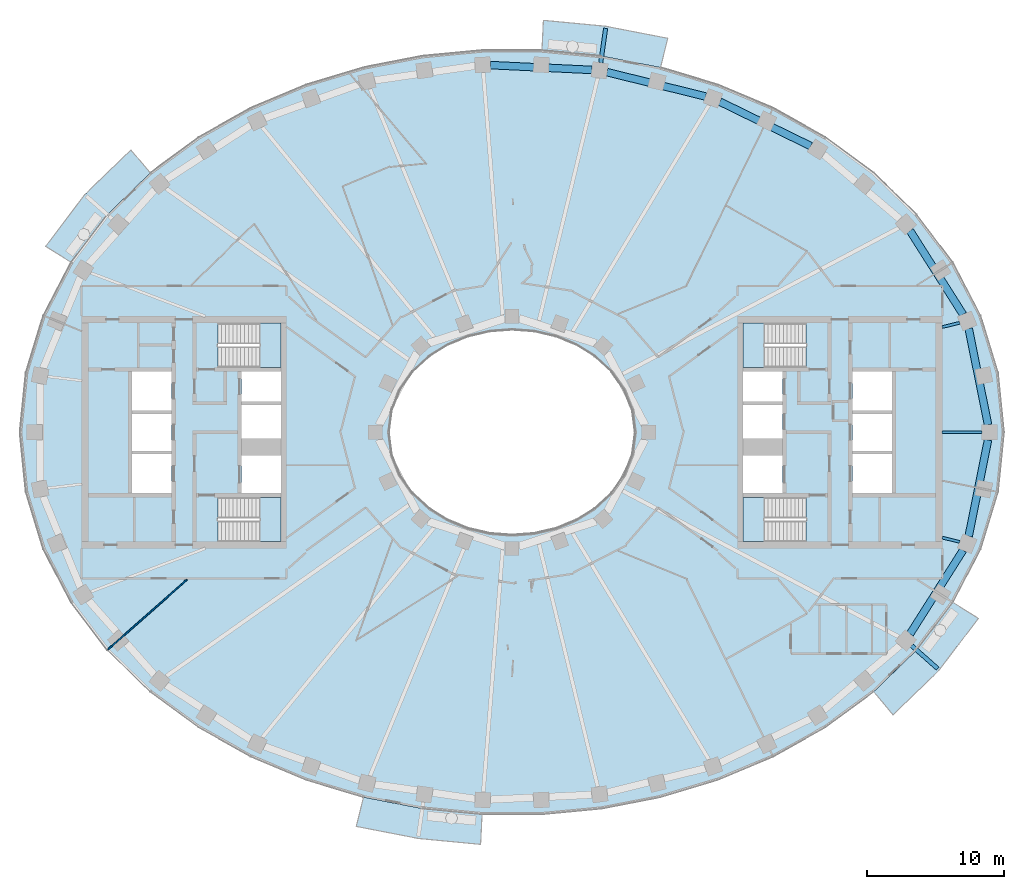
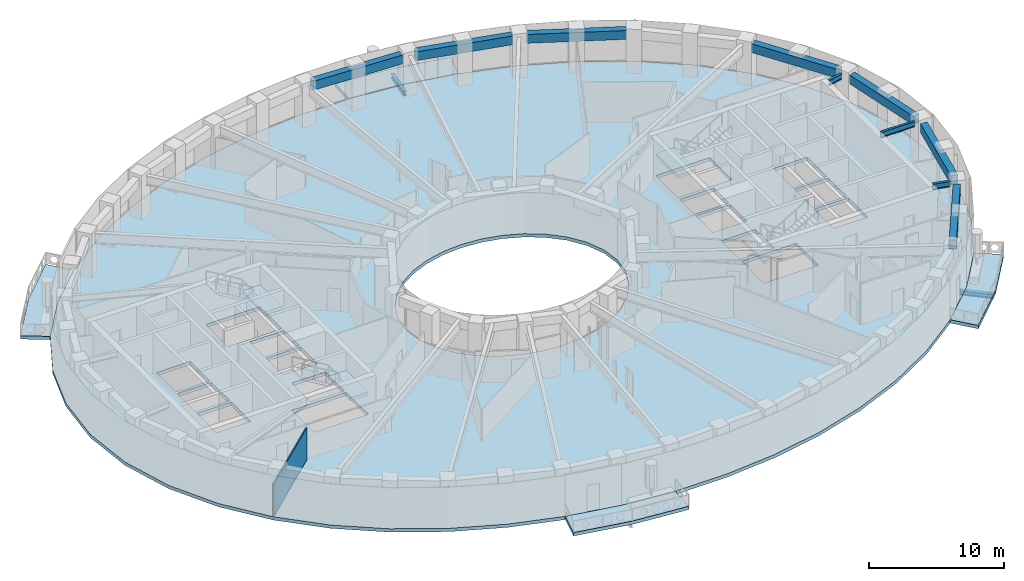
# One storey, part 2 of 17: 12 beams, 9 slabs, 1 wall, 4 elements without a shape of their own.
"""IFC4 building model written with IfcOpenShell, lengths in metres."""

from ifc_helpers import new_model, si_unit, direction, frame, frame_2d, origin, origin_2d, place, context, subcontext, project, spatial, polyline, rectangle, i_section, outline, extrude, material, layer, layer_set, material_profile, profile_set, type_object, element, aggregate, save


model = new_model("IFC4")

# Units and contexts
model_context = context("Model", 3, precision=1e-05, world=origin(), true_north=direction((0.0, 1.0)))
body_context = subcontext(model_context, "Body", "Model", "MODEL_VIEW")
ifc_project = project(units=[si_unit("LENGTHUNIT", "METRE"), si_unit("AREAUNIT", "SQUARE_METRE"), si_unit("VOLUMEUNIT", "CUBIC_METRE"), si_unit("PLANEANGLEUNIT", "RADIAN"), si_unit("MASSUNIT", "GRAM", prefix="KILO")], contexts=[model_context])

# Site, building, storey
site_placement = place(None, origin())
site = spatial("IfcSite", under=ifc_project, at=site_placement, CompositionType="ELEMENT")
building_placement = place(site_placement, origin())
building = spatial("IfcBuilding", under=site, at=building_placement, Name="Noorbagh Ring Tower", CompositionType="ELEMENT")
storey_placement = place(building_placement, frame((0.0, 0.0, 190.0)))
storey = spatial("IfcBuildingStorey", under=building, at=storey_placement, Name="L44", CompositionType="ELEMENT", Elevation=190.0)

# Beams
ifc_material_1 = material(Name="Steel S355", Category="steel")
ifc_material_profile_1 = material_profile(ifc_material_1, i_section(OverallWidth=0.300048828125, OverallDepth=0.39990234375, WebThickness=0.013427734375, FlangeThickness=0.02392578125, FilletRadius=0.027099609375, at=origin_2d()), Name="HEB400")
ifc_profile_set_1 = profile_set([ifc_material_profile_1], Name="Steel S355")
beam_type_1 = type_object("IfcBeamType", Name="STR-BALCONY-BRACKET-HEB400", PredefinedType="BEAM", material=ifc_profile_set_1)
beam_1_placement = place(storey_placement, frame((6.48876953125, 27.0400390625, -0.5), z_axis=(0.143003505054, 0.989722182, 0.0), x_axis=(-0.989722182, 0.143003505054, 0.0)))
element("IfcBeam", 1, at=beam_1_placement, inside=storey, type_object=beam_type_1, Name="Balcony bracket beam BN03", PredefinedType="BEAM", context=body_context, shape_type="SweptSolid", body=[
    extrude(i_section(OverallWidth=0.300048828125, OverallDepth=0.39990234375, WebThickness=0.013427734375, FlangeThickness=0.02392578125, FilletRadius=0.027099609375, at=origin_2d()), origin(), (0.0, 0.0, 1.0), 2.548828125),
])
beam_2_placement = place(storey_placement, frame((29.234619140625, -15.59814453125, -0.5), z_axis=(0.749031222735, -0.662534698992, 0.0), x_axis=(0.662534698992, 0.749031222735, 0.0)))
element("IfcBeam", 2, at=beam_2_placement, inside=storey, type_object=beam_type_1, Name="Balcony bracket beam BS06", PredefinedType="BEAM", context=body_context, shape_type="SweptSolid", body=[
    extrude(i_section(OverallWidth=0.300048828125, OverallDepth=0.39990234375, WebThickness=0.013427734375, FlangeThickness=0.02392578125, FilletRadius=0.027099609375, at=origin_2d()), origin(), (0.0, 0.0, 1.0), 2.554443359375),
])
ifc_material_2 = material(Name="Steel S355", Category="steel")
ifc_material_profile_2 = material_profile(ifc_material_2, i_section(OverallWidth=0.199951171875, OverallDepth=0.5, WebThickness=0.01025390625, FlangeThickness=0.01611328125, FilletRadius=0.02099609375, at=origin_2d()), Name="IPE500")
ifc_profile_set_2 = profile_set([ifc_material_profile_2], Name="Steel S355")
beam_type_2 = type_object("IfcBeamType", Name="STR-RAD-IPE500", PredefinedType="BEAM", material=ifc_profile_set_2)
beam_3_placement = place(storey_placement, frame((34.3896484375, 0.0, 3.449951171875), z_axis=(-1.0, 0.0, 0.0), x_axis=(0.0, -1.0, 0.0)))
element("IfcBeam", 3, at=beam_3_placement, inside=storey, type_object=beam_type_2, Name="L44/bm/RD01", PredefinedType="BEAM", context=body_context, shape_type="SweptSolid", body=[
    extrude(i_section(OverallWidth=0.199951171875, OverallDepth=0.5, WebThickness=0.01025390625, FlangeThickness=0.01611328125, FilletRadius=0.02099609375, at=origin_2d()), origin(), (0.0, 0.0, 1.0), 2.90966796875),
])
for number, where, z_axis, x_axis, name in (
    (4, (32.759765625, 8.015869140625, 3.449951171875), (-0.971351477813, -0.237647441709, 0.0), (0.237647441709, -0.971351477813, 0.0), "L44/bm/RD03"),
    (5, (32.759765625, -8.015869140625, 3.449951171875), (-0.971351477813, 0.237647441709, 0.0), (-0.237647441709, -0.971351477813, 0.0), "L44/bm/RD45"),
):
    element("IfcBeam", number, at=place(storey_placement, frame(where, z_axis=z_axis, x_axis=x_axis)), inside=storey, type_object=beam_type_2, Name=name, PredefinedType="BEAM", context=body_context, shape_type="SweptSolid", body=[
        extrude(i_section(OverallWidth=0.199951171875, OverallDepth=0.5, WebThickness=0.01025390625, FlangeThickness=0.01611328125, FilletRadius=0.02099609375, at=origin_2d()), origin(), (0.0, 0.0, 1.0), 1.317138671875),
    ])
ifc_material_3 = material(Name="Concrete C40/50", Category="concrete")
ifc_material_profile_3 = material_profile(ifc_material_3, rectangle(XDim=0.550048828125, YDim=0.800048828125, at=origin_2d()), Name="RC550x800")
ifc_profile_set_3 = profile_set([ifc_material_profile_3], Name="Concrete C40/50")
beam_type_3 = type_object("IfcBeamType", Name="STR-SB-RC550x800-C40-50", PredefinedType="BEAM", material=ifc_profile_set_3)
beam_4_placement = place(storey_placement, frame((34.8330078125, 0.555419921875, 3.300048828125), z_axis=(-0.197234085058, 0.980356422783, 0.0), x_axis=(-0.980356422783, -0.197234085058, 0.0)))
element("IfcBeam", 6, at=beam_4_placement, inside=storey, type_object=beam_type_3, Name="L44/bm/SP01", PredefinedType="BEAM", context=body_context, shape_type="SweptSolid", body=[
    extrude(rectangle(XDim=0.550048828125, YDim=0.800048828125, at=origin_2d()), origin(), (0.0, 0.0, 1.0), 7.1806640625),
])
beam_5_placement = place(storey_placement, frame((33.00341796875, 8.625732421875, 3.300048828125), z_axis=(-0.535193751586, 0.844729334322, 0.0), x_axis=(-0.844729334322, -0.535193751586, 0.0)))
element("IfcBeam", 7, at=beam_5_placement, inside=storey, type_object=beam_type_3, Name="L44/bm/SP03", PredefinedType="BEAM", context=body_context, shape_type="SweptSolid", body=[
    extrude(rectangle(XDim=0.550048828125, YDim=0.800048828125, at=origin_2d()), origin(), (0.0, 0.0, 1.0), 7.25634765625),
])
beam_6_placement = place(storey_placement, frame((21.85986328125, 20.945556640625, 3.300048828125), z_axis=(-0.898409236546, 0.439159246389, 0.0), x_axis=(-0.439159246389, -0.898409236546, 0.0)))
element("IfcBeam", 8, at=beam_6_placement, inside=storey, type_object=beam_type_3, Name="L44/bm/SP07", PredefinedType="BEAM", context=body_context, shape_type="SweptSolid", body=[
    extrude(rectangle(XDim=0.550048828125, YDim=0.800048828125, at=origin_2d()), origin(), (0.0, 0.0, 1.0), 7.400390625),
])
beam_7_placement = place(storey_placement, frame((14.167724609375, 24.57470703125, 3.300048828125), z_axis=(-0.970828249823, 0.239775956563, 0.0), x_axis=(-0.239775956563, -0.970828249823, 0.0)))
element("IfcBeam", 9, at=beam_7_placement, inside=storey, type_object=beam_type_3, Name="L44/bm/SP09", PredefinedType="BEAM", context=body_context, shape_type="SweptSolid", body=[
    extrude(rectangle(XDim=0.550048828125, YDim=0.800048828125, at=origin_2d()), origin(), (0.0, 0.0, 1.0), 7.433837890625),
])
beam_8_placement = place(storey_placement, frame((5.852294921875, 26.517333984375, 3.300048828125), z_axis=(-0.998867915197, 0.047569822271, 0.0), x_axis=(-0.047569822271, -0.998867915197, 0.0)))
element("IfcBeam", 10, at=beam_8_placement, inside=storey, type_object=beam_type_3, Name="L44/bm/SP11", PredefinedType="BEAM", context=body_context, shape_type="SweptSolid", body=[
    extrude(rectangle(XDim=0.550048828125, YDim=0.800048828125, at=origin_2d()), origin(), (0.0, 0.0, 1.0), 7.447021484375),
])
beam_9_placement = place(storey_placement, frame((29.119873046875, -14.75537109375, 3.300048828125), z_axis=(0.535193751586, 0.844729334322, 0.0), x_axis=(-0.844729334322, 0.535193751586, 0.0)))
element("IfcBeam", 11, at=beam_9_placement, inside=storey, type_object=beam_type_3, Name="L44/bm/SP43", PredefinedType="BEAM", context=body_context, shape_type="SweptSolid", body=[
    extrude(rectangle(XDim=0.550048828125, YDim=0.800048828125, at=origin_2d()), origin(), (0.0, 0.0, 1.0), 7.25634765625),
])
beam_10_placement = place(storey_placement, frame((33.416748046875, -7.594970703125, 3.300048828125), z_axis=(0.197234085058, 0.980356422783, 0.0), x_axis=(-0.980356422783, 0.197234085058, 0.0)))
element("IfcBeam", 12, at=beam_10_placement, inside=storey, type_object=beam_type_3, Name="L44/bm/SP45", PredefinedType="BEAM", context=body_context, shape_type="SweptSolid", body=[
    extrude(rectangle(XDim=0.550048828125, YDim=0.800048828125, at=origin_2d()), origin(), (0.0, 0.0, 1.0), 7.1806640625),
])

# Stair, slab
ifc_material_4 = material(Name="Concrete C40/50", Category="concrete")
stair_type = type_object("IfcStairType", Name="CORE-STAIR", PredefinedType="HALF_TURN_STAIR", material=ifc_material_4)
stair_1_placement = place(storey_placement, origin())
stair_1 = element("IfcStair", 13, at=stair_1_placement, inside=storey, type_object=stair_type, Name="L44 Exit stair ST1", PredefinedType="HALF_TURN_STAIR")
ifc_material_5 = material(Name="Concrete C40/50", Category="concrete")
ifc_layer_1 = layer(ifc_material_5, 0.300048828125)
ifc_layer_set_1 = layer_set([ifc_layer_1], Name="Concrete C40/50")
slab_type_1 = type_object("IfcSlabType", Name="CORE-STAIR-LANDING", PredefinedType="LANDING", material=ifc_layer_set_1)
slab_1_placement = place(storey_placement, frame((0.0, 0.0, 1.699951171875)))
slab_1 = element("IfcSlab", 14, at=slab_1_placement, type_object=slab_type_1, Name="ST1 landing 1", PredefinedType="LANDING", context=body_context, shape_type="SweptSolid", body=[
    extrude(outline(polyline([(-18.449951171875, 4.75), (-16.89990234375, 4.75), (-16.89990234375, 8.0), (-18.449951171875, 8.0), (-18.449951171875, 4.75)])), origin(), (0.0, 0.0, 1.0), 0.300048828125),
])
aggregate(stair_1, [slab_1])

stair_2_placement = place(storey_placement, origin())
stair_2 = element("IfcStair", 15, at=stair_2_placement, inside=storey, type_object=stair_type, Name="L44 Exit stair ST2", PredefinedType="HALF_TURN_STAIR")
slab_2_placement = place(storey_placement, frame((0.0, 0.0, 1.699951171875)))
slab_2 = element("IfcSlab", 16, at=slab_2_placement, type_object=slab_type_1, Name="ST2 landing 1", PredefinedType="LANDING", context=body_context, shape_type="SweptSolid", body=[
    extrude(outline(polyline([(-18.449951171875, -8.0), (-16.89990234375, -8.0), (-16.89990234375, -4.75), (-18.449951171875, -4.75), (-18.449951171875, -8.0)])), origin(), (0.0, 0.0, 1.0), 0.300048828125),
])
aggregate(stair_2, [slab_2])

stair_3_placement = place(storey_placement, origin())
stair_3 = element("IfcStair", 17, at=stair_3_placement, inside=storey, type_object=stair_type, Name="L44 Exit stair ST3", PredefinedType="HALF_TURN_STAIR")
slab_3_placement = place(storey_placement, frame((0.0, 0.0, 1.699951171875)))
slab_3 = element("IfcSlab", 18, at=slab_3_placement, type_object=slab_type_1, Name="ST3 landing 1", PredefinedType="LANDING", context=body_context, shape_type="SweptSolid", body=[
    extrude(outline(polyline([(18.449951171875, 8.0), (16.89990234375, 8.0), (16.89990234375, 4.75), (18.449951171875, 4.75), (18.449951171875, 8.0)])), origin(), (0.0, 0.0, 1.0), 0.300048828125),
])
aggregate(stair_3, [slab_3])

stair_4_placement = place(storey_placement, origin())
stair_4 = element("IfcStair", 19, at=stair_4_placement, inside=storey, type_object=stair_type, Name="L44 Exit stair ST4", PredefinedType="HALF_TURN_STAIR")
slab_4_placement = place(storey_placement, frame((0.0, 0.0, 1.699951171875)))
slab_4 = element("IfcSlab", 20, at=slab_4_placement, type_object=slab_type_1, Name="ST4 landing 1", PredefinedType="LANDING", context=body_context, shape_type="SweptSolid", body=[
    extrude(outline(polyline([(18.449951171875, -4.75), (16.89990234375, -4.75), (16.89990234375, -8.0), (18.449951171875, -8.0), (18.449951171875, -4.75)])), origin(), (0.0, 0.0, 1.0), 0.300048828125),
])
aggregate(stair_4, [slab_4])

# Slabs
ifc_material_6 = material(Name="Concrete C40/50", Category="concrete")
ifc_layer_2 = layer(ifc_material_6, 0.300048828125)
ifc_layer_set_2 = layer_set([ifc_layer_2], Name="Concrete C40/50")
slab_type_2 = type_object("IfcSlabType", Name="ENV-BALCONY DECK 300", PredefinedType="FLOOR", material=ifc_layer_set_2)
slab_5_placement = place(storey_placement, frame((0.0, 0.0, -0.300048828125)))
element("IfcSlab", 21, at=slab_5_placement, inside=storey, type_object=slab_type_2, Name="Tree balcony deck BN03", PredefinedType="FLOOR", context=body_context, shape_type="SweptSolid", body=[
    extrude(outline(polyline([(11.3935546875, 28.832763671875), (6.874755859375, 29.711181640625), (2.2978515625, 30.14794921875), (2.193115234375, 27.947998046875), (6.5595703125, 27.53125), (10.865234375, 26.6943359375), (11.3935546875, 28.832763671875)])), origin(), (0.0, 0.0, 1.0), 0.300048828125),
])
slab_6_placement = place(storey_placement, frame((0.0, 0.0, -0.300048828125)))
element("IfcSlab", 22, at=slab_6_placement, inside=storey, type_object=slab_type_2, Name="Tree balcony deck BN06", PredefinedType="FLOOR", context=body_context, shape_type="SweptSolid", body=[
    extrude(outline(polyline([(-27.888671875, 20.665771484375), (-31.26025390625, 17.389892578125), (-34.120361328125, 13.615966796875), (-32.255126953125, 12.434814453125), (-29.607666015625, 15.92822265625), (-26.463134765625, 18.983154296875), (-27.888671875, 20.665771484375)])), origin(), (0.0, 0.0, 1.0), 0.300048828125),
])
slab_7_placement = place(storey_placement, frame((0.0, 0.0, -0.300048828125)))
element("IfcSlab", 23, at=slab_7_placement, inside=storey, type_object=slab_type_2, Name="Tree balcony deck BS03", PredefinedType="FLOOR", context=body_context, shape_type="SweptSolid", body=[
    extrude(outline(polyline([(-11.3935546875, -28.832763671875), (-6.874755859375, -29.711181640625), (-2.2978515625, -30.14794921875), (-2.193115234375, -27.947998046875), (-6.5595703125, -27.53125), (-10.865234375, -26.6943359375), (-11.3935546875, -28.832763671875)])), origin(), (0.0, 0.0, 1.0), 0.300048828125),
])
slab_8_placement = place(storey_placement, frame((0.0, 0.0, -0.300048828125)))
element("IfcSlab", 24, at=slab_8_placement, inside=storey, type_object=slab_type_2, Name="Tree balcony deck BS06", PredefinedType="FLOOR", context=body_context, shape_type="SweptSolid", body=[
    extrude(outline(polyline([(27.888671875, -20.665771484375), (31.26025390625, -17.389892578125), (34.120361328125, -13.615966796875), (32.255126953125, -12.434814453125), (29.607666015625, -15.92822265625), (26.463134765625, -18.983154296875), (27.888671875, -20.665771484375)])), origin(), (0.0, 0.0, 1.0), 0.300048828125),
])
ifc_material_7 = material(Name="Concrete C40/50", Category="concrete")
ifc_layer_3 = layer(ifc_material_7, 0.300048828125)
ifc_layer_set_3 = layer_set([ifc_layer_3], Name="Concrete C40/50")
slab_type_3 = type_object("IfcSlabType", Name="STR-FLOOR-DECK-300", PredefinedType="FLOOR", material=ifc_layer_set_3)
slab_9_placement = place(storey_placement, frame((0.0, 0.0, -0.300048828125)))
element("IfcSlab", 25, at=slab_9_placement, inside=storey, type_object=slab_type_3, Name="L44/slab/1", PredefinedType="FLOOR", context=body_context, shape_type="SweptSolid", body=[
    extrude(outline(polyline([(36.0, 0.0), (35.56103515625, 4.358642578125), (34.281005859375, 8.548828125), (32.255126953125, 12.434814453125), (29.607666015625, 15.92822265625), (26.463134765625, 18.983154296875), (22.9326171875, 21.583740234375), (19.108154296875, 23.730224609375), (15.0654296875, 25.430419921875), (10.865234375, 26.6943359375), (6.5595703125, 27.53125), (2.193115234375, 27.947998046875), (-2.193115234375, 27.947998046875), (-6.5595703125, 27.53125), (-10.865234375, 26.6943359375), (-15.0654296875, 25.430419921875), (-19.108154296875, 23.730224609375), (-22.9326171875, 21.583740234375), (-26.463134765625, 18.983154296875), (-29.607666015625, 15.92822265625), (-32.255126953125, 12.434814453125), (-34.281005859375, 8.548828125), (-35.56103515625, 4.358642578125), (-36.0, 0.0), (-35.56103515625, -4.358642578125), (-34.281005859375, -8.548828125), (-32.255126953125, -12.434814453125), (-29.607666015625, -15.92822265625), (-26.463134765625, -18.983154296875), (-22.9326171875, -21.583740234375), (-19.108154296875, -23.730224609375), (-15.0654296875, -25.430419921875), (-10.865234375, -26.6943359375), (-6.5595703125, -27.53125), (-2.193115234375, -27.947998046875), (2.193115234375, -27.947998046875), (6.5595703125, -27.53125), (10.865234375, -26.6943359375), (15.0654296875, -25.430419921875), (19.108154296875, -23.730224609375), (22.9326171875, -21.583740234375), (26.463134765625, -18.983154296875), (29.607666015625, -15.92822265625), (32.255126953125, -12.434814453125), (34.281005859375, -8.548828125), (35.56103515625, -4.358642578125), (36.0, 0.0)]), holes=[polyline([(24.89990234375, 4.449951171875), (27.800048828125, 4.449951171875), (27.800048828125, 1.60009765625), (24.89990234375, 1.60009765625), (24.89990234375, 4.449951171875)]), polyline([(24.89990234375, 1.35009765625), (27.800048828125, 1.35009765625), (27.800048828125, -1.35009765625), (24.89990234375, -1.35009765625), (24.89990234375, 1.35009765625)]), polyline([(24.89990234375, -1.60009765625), (27.800048828125, -1.60009765625), (27.800048828125, -4.449951171875), (24.89990234375, -4.449951171875), (24.89990234375, -1.60009765625)]), polyline([(21.529541015625, -8.0), (16.89990234375, -8.0), (16.89990234375, -4.75), (21.529541015625, -4.75), (21.529541015625, -8.0)]), polyline([(16.89990234375, 4.75), (16.89990234375, 8.0), (21.529541015625, 8.0), (21.529541015625, 4.75), (16.89990234375, 4.75)]), polyline([(19.800048828125, 4.449951171875), (19.800048828125, 2.25), (16.89990234375, 2.25), (16.89990234375, 4.449951171875), (19.800048828125, 4.449951171875)]), polyline([(16.89990234375, 2.0), (19.800048828125, 2.0), (19.800048828125, -0.449951171875), (16.89990234375, -0.449951171875), (16.89990234375, 2.0)]), polyline([(16.89990234375, -1.699951171875), (19.800048828125, -1.699951171875), (19.800048828125, -4.449951171875), (16.89990234375, -4.449951171875), (16.89990234375, -1.699951171875)]), polyline([(4.697509765625, -6.3974609375), (3.196533203125, -7.010986328125), (1.6171875, -7.3779296875), (0.0, -7.5), (-1.6171875, -7.3779296875), (-3.196533203125, -7.010986328125), (-4.697509765625, -6.3974609375), (-6.071044921875, -5.53662109375), (-7.2587890625, -4.43408203125), (-8.1904296875, -3.10888671875), (-8.79150390625, -1.605224609375), (-9.0, 0.0), (-8.79150390625, 1.605224609375), (-8.1904296875, 3.10888671875), (-7.2587890625, 4.43408203125), (-6.071044921875, 5.53662109375), (-4.697509765625, 6.3974609375), (-3.196533203125, 7.010986328125), (-1.6171875, 7.3779296875), (0.0, 7.5), (1.6171875, 7.3779296875), (3.196533203125, 7.010986328125), (4.697509765625, 6.3974609375), (6.071044921875, 5.53662109375), (7.2587890625, 4.43408203125), (8.1904296875, 3.10888671875), (8.79150390625, 1.605224609375), (9.0, 0.0), (8.79150390625, -1.605224609375), (8.1904296875, -3.10888671875), (7.2587890625, -4.43408203125), (6.071044921875, -5.53662109375), (4.697509765625, -6.3974609375)]), polyline([(-16.89990234375, 2.25), (-19.800048828125, 2.25), (-19.800048828125, 4.449951171875), (-16.89990234375, 4.449951171875), (-16.89990234375, 2.25)]), polyline([(-16.89990234375, -0.449951171875), (-19.800048828125, -0.449951171875), (-19.800048828125, 2.0), (-16.89990234375, 2.0), (-16.89990234375, -0.449951171875)]), polyline([(-16.89990234375, -4.449951171875), (-19.800048828125, -4.449951171875), (-19.800048828125, -1.699951171875), (-16.89990234375, -1.699951171875), (-16.89990234375, -4.449951171875)]), polyline([(-21.529541015625, 8.0), (-16.89990234375, 8.0), (-16.89990234375, 4.75), (-21.529541015625, 4.75), (-21.529541015625, 8.0)]), polyline([(-21.529541015625, -4.75), (-16.89990234375, -4.75), (-16.89990234375, -8.0), (-21.529541015625, -8.0), (-21.529541015625, -4.75)]), polyline([(-24.89990234375, -4.449951171875), (-27.800048828125, -4.449951171875), (-27.800048828125, -1.60009765625), (-24.89990234375, -1.60009765625), (-24.89990234375, -4.449951171875)]), polyline([(-24.89990234375, 1.60009765625), (-27.800048828125, 1.60009765625), (-27.800048828125, 4.449951171875), (-24.89990234375, 4.449951171875), (-24.89990234375, 1.60009765625)]), polyline([(-24.89990234375, -1.35009765625), (-27.800048828125, -1.35009765625), (-27.800048828125, 1.35009765625), (-24.89990234375, 1.35009765625), (-24.89990234375, -1.35009765625)])]), origin(), (0.0, 0.0, 1.0), 0.300048828125),
])

# Wall
ifc_material_8 = material(Name="Gypsum board on steel studs", Category="steel")
ifc_layer_4 = layer(ifc_material_8, 0.10009765625)
ifc_layer_set_4 = layer_set([ifc_layer_4], Name="Gypsum board on steel studs")
wall_type = type_object("IfcWallType", Name="PARTITION 100 GYPSUM", PredefinedType="PARTITIONING", material=ifc_layer_set_4)
wall_placement = place(storey_placement, frame((-29.569091796875, -15.89501953125, 0.0), z_axis=(0.0, 0.0, 1.0), x_axis=(0.748985701008, 0.662586160198, 0.0)))
element("IfcWall", 26, at=wall_placement, inside=storey, type_object=wall_type, Name="L44/wall/P06", PredefinedType="PARTITIONING", context=body_context, shape_type="SweptSolid", body=[
    extrude(rectangle(XDim=7.72265625, YDim=0.10009765625, at=frame_2d((3.861328125, 0.0))), origin(), (0.0, 0.0, 1.0), 2.89990234375),
])

save(model, "model.ifc")
